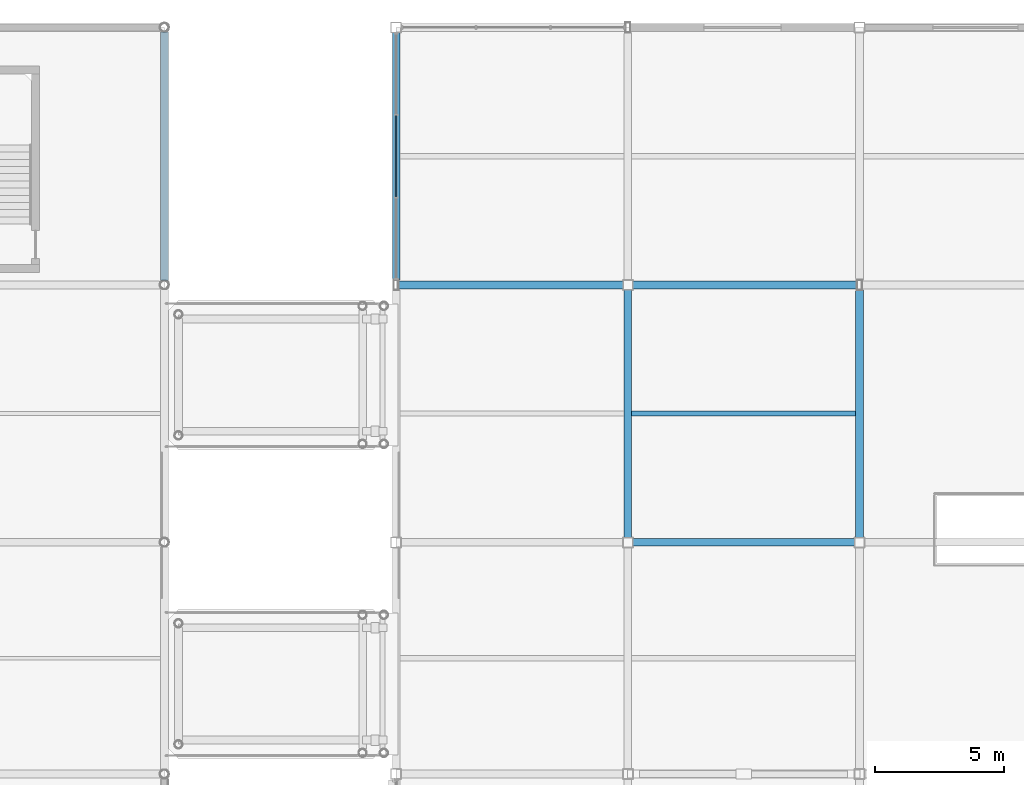
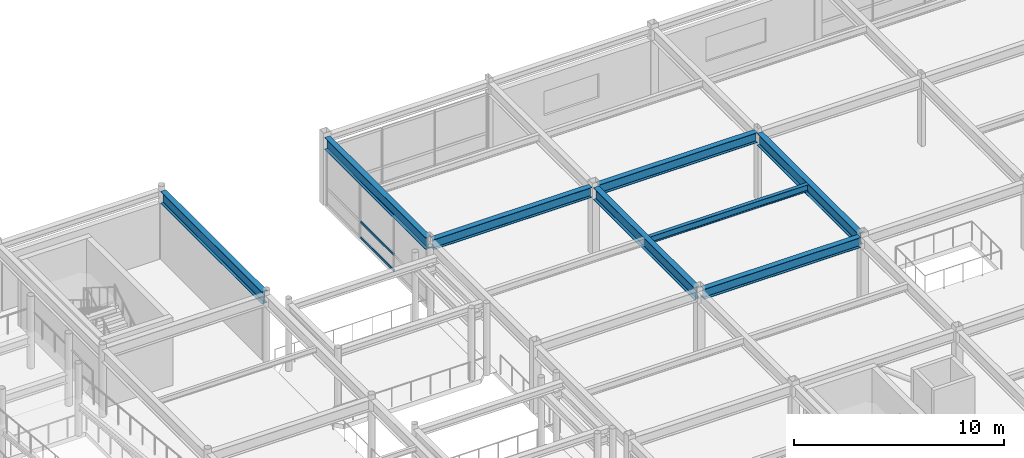
# One storey, part 42 of 108: 8 beams, 3 members, 1 element without a shape of its own.
"""IFC4 building model written with IfcOpenShell, lengths in metres."""

from ifc_helpers import new_model, si_unit, direction, frame, origin, origin_2d, place, context, subcontext, project, spatial, rectangle, i_section, extrude, material, material_profile, profile_set, type_object, element, aggregate, save


model = new_model("IFC4")

# Units and contexts
model_context = context("Model", 3, precision=1e-05, world=origin(), true_north=direction((0.0, 1.0)))
body_context = subcontext(model_context, "Body", "Model", "MODEL_VIEW")
ifc_project = project(units=[si_unit("LENGTHUNIT", "METRE"), si_unit("AREAUNIT", "SQUARE_METRE"), si_unit("VOLUMEUNIT", "CUBIC_METRE"), si_unit("PLANEANGLEUNIT", "RADIAN"), si_unit("MASSUNIT", "GRAM", prefix="KILO")], contexts=[model_context])

# Site, building, storey
site_placement = place(None, origin())
site = spatial("IfcSite", under=ifc_project, at=site_placement, CompositionType="ELEMENT")
building_placement = place(site_placement, origin())
building = spatial("IfcBuilding", under=site, at=building_placement, Name="Suzunagisa Mobility Hub", CompositionType="ELEMENT")
storey_placement = place(building_placement, frame((0.0, 0.0, 9.300048828125)))
storey = spatial("IfcBuildingStorey", under=building, at=storey_placement, Name="L02", CompositionType="ELEMENT", Elevation=9.300048828125)

# Curtain wall, members
ifc_material_1 = material(Name="Thermally Broken Anodized Aluminum and Low-E Glazing", Category="aluminium")
curtain_wall_type = type_object("IfcCurtainWallType", Name="Unitised Curtain Wall CW-07 9500x3200", PredefinedType="USERDEFINED", material=ifc_material_1)
curtain_wall_placement = place(storey_placement, origin())
curtain_wall = element("IfcCurtainWall", 1, at=curtain_wall_placement, inside=storey, type_object=curtain_wall_type, Name="L02 Unitised Curtain Wall CW-119", ObjectType="UNITISED CURTAIN WALL", PredefinedType="USERDEFINED")
ifc_material_2 = material(Name="Anodized Aluminum 6063-T6", Category="aluminium")
ifc_material_profile_1 = material_profile(ifc_material_2, rectangle(XDim=0.06494140625, YDim=0.139892578125, at=origin_2d()), Name="TRAN-65x140")
ifc_profile_set_1 = profile_set([ifc_material_profile_1], Name="Anodized Aluminum 6063-T6")
member_type = type_object("IfcMemberType", Name="Curtain Wall Framing CM-01 TRAN-65x140", PredefinedType="USERDEFINED", material=ifc_profile_set_1)
member_1_placement = place(storey_placement, frame((45.0, 114.572021484375, 0.032470703125), z_axis=(0.0, -1.0, 0.0), x_axis=(1.0, 0.0, 0.0)))
member_1 = element("IfcMember", 2, at=member_1_placement, type_object=member_type, Name="Curtain Wall Transom 119-T2.1", ObjectType="TRANSOM", PredefinedType="USERDEFINED", context=body_context, shape_type="SweptSolid", body=[
    extrude(rectangle(XDim=0.06494140625, YDim=0.139892578125, at=origin_2d()), origin(), (0.0, 0.0, 1.0), 3.14404296875),
])
member_2_placement = place(storey_placement, frame((45.0, 114.572021484375, 0.949951171875), z_axis=(0.0, -1.0, 0.0), x_axis=(1.0, 0.0, 0.0)))
member_2 = element("IfcMember", 3, at=member_2_placement, type_object=member_type, Name="Curtain Wall Transom 119-T2.2", ObjectType="TRANSOM", PredefinedType="USERDEFINED", context=body_context, shape_type="SweptSolid", body=[
    extrude(rectangle(XDim=0.06494140625, YDim=0.139892578125, at=origin_2d()), origin(), (0.0, 0.0, 1.0), 3.14404296875),
])
member_3_placement = place(storey_placement, frame((45.0, 114.572021484375, 3.217529296875), z_axis=(0.0, -1.0, 0.0), x_axis=(1.0, 0.0, 0.0)))
member_3 = element("IfcMember", 4, at=member_3_placement, type_object=member_type, Name="Curtain Wall Transom 119-T2.3", ObjectType="TRANSOM", PredefinedType="USERDEFINED", context=body_context, shape_type="SweptSolid", body=[
    extrude(rectangle(XDim=0.06494140625, YDim=0.139892578125, at=origin_2d()), origin(), (0.0, 0.0, 1.0), 3.14404296875),
])
aggregate(curtain_wall, [member_1, member_2, member_3])

# Beams
ifc_material_3 = material(Name="Steel SN490B", Category="steel")
ifc_material_profile_2 = material_profile(ifc_material_3, i_section(OverallWidth=0.300048828125, OverallDepth=0.699951171875, WebThickness=0.012939453125, FlangeThickness=0.02392578125, FilletRadius=0.01806640625, at=origin_2d()), Name="H-700x300x13x24")
ifc_profile_set_2 = profile_set([ifc_material_profile_2], Name="Steel SN490B")
beam_type_1 = type_object("IfcBeamType", Name="Steel Beam BM-11 H-700x300x13x24", PredefinedType="BEAM", material=ifc_profile_set_2)
beam_1_placement = place(storey_placement, frame((36.0, 108.173828125, 3.599853515625), z_axis=(0.0, 1.0, 0.0), x_axis=(-1.0, 0.0, 0.0)))
element("IfcBeam", 5, at=beam_1_placement, inside=storey, type_object=beam_type_1, Name="L02 Primary Girder GY-547", PredefinedType="BEAM", context=body_context, shape_type="SweptSolid", body=[
    extrude(i_section(OverallWidth=0.300048828125, OverallDepth=0.699951171875, WebThickness=0.012939453125, FlangeThickness=0.02392578125, FilletRadius=0.01806640625, at=origin_2d()), origin(), (0.0, 0.0, 1.0), 9.65234375),
])
for number, where, z_axis, x_axis, name in (
    (6, (45.0, 108.196044921875, 3.599853515625), (0.0, 1.0, 0.0), (-1.0, 0.0, 0.0), "L02 Primary Girder GY-962"),
    (7, (54.0, 98.196044921875, 3.599853515625), (0.0, 1.0, 0.0), (-1.0, 0.0, 0.0), "L02 Primary Girder GY-965"),
    (8, (63.0, 98.196044921875, 3.599853515625), (0.0, 1.0, 0.0), (-1.0, 0.0, 0.0), "L02 Primary Girder GY-969"),
):
    element("IfcBeam", number, at=place(storey_placement, frame(where, z_axis=z_axis, x_axis=x_axis)), inside=storey, type_object=beam_type_1, Name=name, PredefinedType="BEAM", context=body_context, shape_type="SweptSolid", body=[
        extrude(i_section(OverallWidth=0.300048828125, OverallDepth=0.699951171875, WebThickness=0.012939453125, FlangeThickness=0.02392578125, FilletRadius=0.01806640625, at=origin_2d()), origin(), (0.0, 0.0, 1.0), 9.60791015625),
    ])
ifc_material_4 = material(Name="Steel SN400B", Category="steel")
ifc_material_profile_3 = material_profile(ifc_material_4, i_section(OverallWidth=0.199951171875, OverallDepth=0.39990234375, WebThickness=0.008056640625, FlangeThickness=0.012939453125, FilletRadius=0.012939453125, at=origin_2d()), Name="H-400x200x8x13")
ifc_profile_set_3 = profile_set([ifc_material_profile_3], Name="Steel SN400B")
beam_type_2 = type_object("IfcBeamType", Name="Steel Beam BM-14 H-400x200x8x13", PredefinedType="JOIST", material=ifc_profile_set_3)
beam_2_placement = place(storey_placement, frame((54.14990234375, 103.0, 3.75), z_axis=(1.0, 0.0, 0.0), x_axis=(0.0, 1.0, 0.0)))
element("IfcBeam", 9, at=beam_2_placement, inside=storey, type_object=beam_type_2, Name="L02 Composite Floor Joist J-1004", PredefinedType="JOIST", context=body_context, shape_type="SweptSolid", body=[
    extrude(i_section(OverallWidth=0.199951171875, OverallDepth=0.39990234375, WebThickness=0.008056640625, FlangeThickness=0.012939453125, FilletRadius=0.012939453125, at=origin_2d()), origin(), (0.0, 0.0, 1.0), 8.7001953125),
])
ifc_material_profile_4 = material_profile(ifc_material_3, i_section(OverallWidth=0.300048828125, OverallDepth=0.587890625, WebThickness=0.011962890625, FlangeThickness=0.02001953125, FilletRadius=0.012939453125, at=origin_2d()), Name="H-588x300x12x20")
ifc_profile_set_4 = profile_set([ifc_material_profile_4], Name="Steel SN490B")
beam_type_3 = type_object("IfcBeamType", Name="Steel Beam BM-16 H-588x300x12x20", PredefinedType="BEAM", material=ifc_profile_set_4)
beam_3_placement = place(storey_placement, frame((54.196044921875, 98.0, 3.656005859375), z_axis=(1.0, 0.0, 0.0), x_axis=(0.0, 1.0, 0.0)))
element("IfcBeam", 10, at=beam_3_placement, inside=storey, type_object=beam_type_3, Name="L02 Primary Girder GX-934", PredefinedType="BEAM", context=body_context, shape_type="SweptSolid", body=[
    extrude(i_section(OverallWidth=0.300048828125, OverallDepth=0.587890625, WebThickness=0.011962890625, FlangeThickness=0.02001953125, FilletRadius=0.012939453125, at=origin_2d()), origin(), (0.0, 0.0, 1.0), 8.60791015625),
])
for number, where, z_axis, x_axis, name in (
    (11, (45.095947265625, 108.0, 3.656005859375), (1.0, 0.0, 0.0), (0.0, 1.0, 0.0), "L02 Primary Girder GX-942"),
    (12, (54.196044921875, 108.0, 3.656005859375), (1.0, 0.0, 0.0), (0.0, 1.0, 0.0), "L02 Primary Girder GX-943"),
):
    element("IfcBeam", number, at=place(storey_placement, frame(where, z_axis=z_axis, x_axis=x_axis)), inside=storey, type_object=beam_type_3, Name=name, PredefinedType="BEAM", context=body_context, shape_type="SweptSolid", body=[
        extrude(i_section(OverallWidth=0.300048828125, OverallDepth=0.587890625, WebThickness=0.011962890625, FlangeThickness=0.02001953125, FilletRadius=0.012939453125, at=origin_2d()), origin(), (0.0, 0.0, 1.0), 8.7080078125),
    ])

save(model, "model.ifc")
